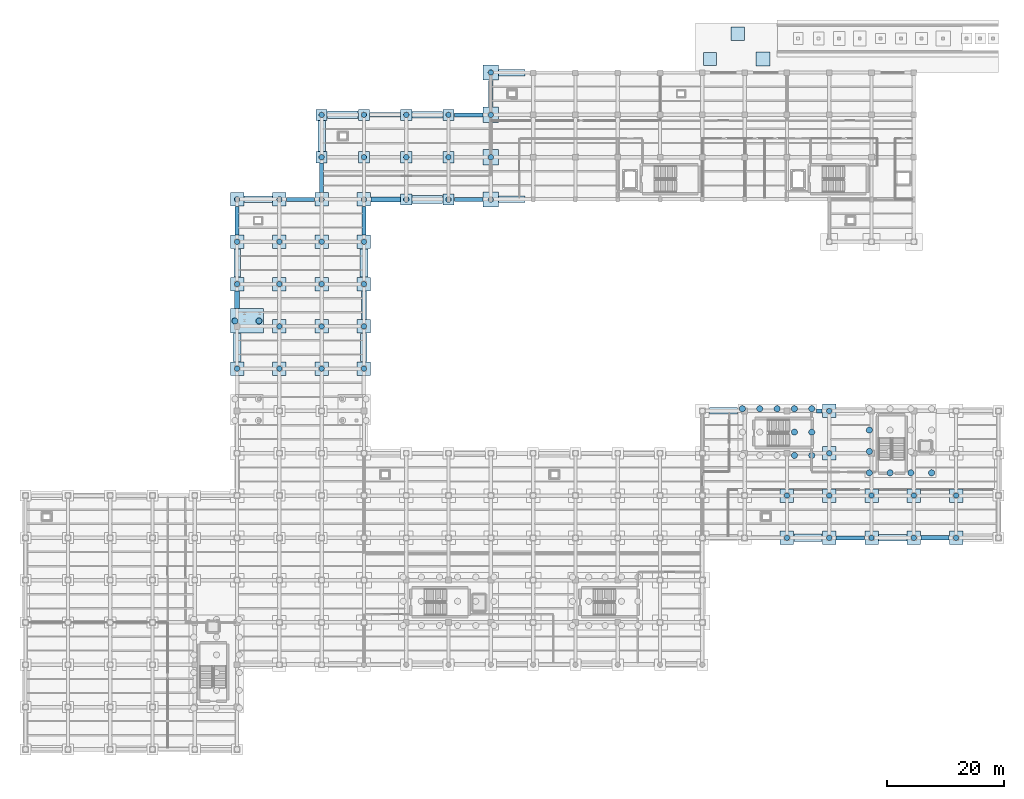
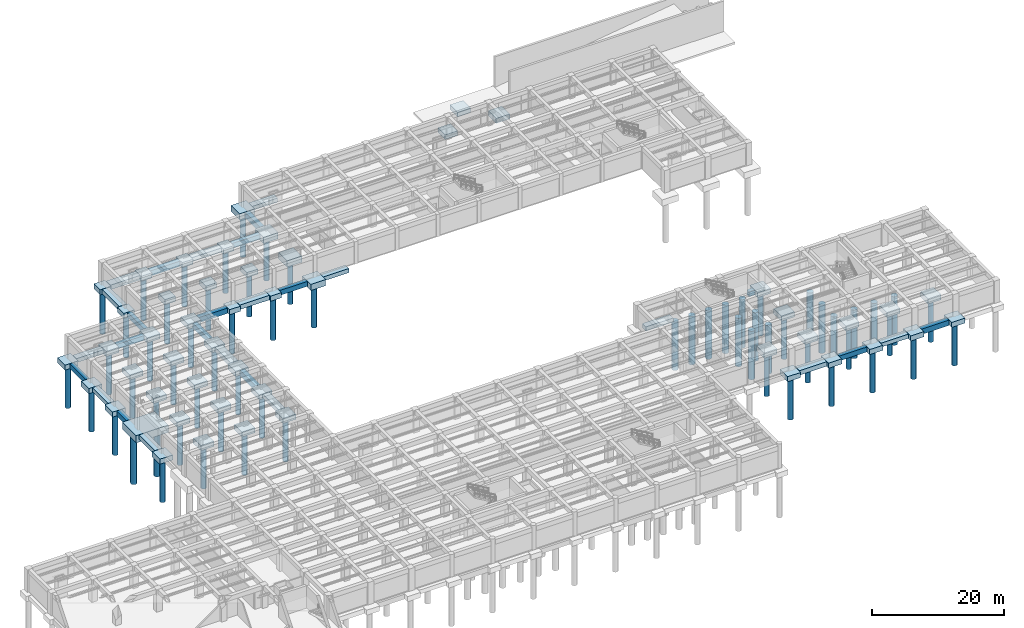
# One storey, part 3 of 34: 77 footings, 62 piles.
"""IFC4 building model written with IfcOpenShell, lengths in metres."""

from ifc_helpers import new_model, si_unit, direction, frame, origin, origin_2d, place, context, subcontext, project, spatial, polyline, rectangle, circle, outline, extrude, material, material_profile, profile_set, type_object, element, save


model = new_model("IFC4")

# Units and contexts
model_context = context("Model", 3, precision=1e-05, world=origin(), true_north=direction((0.0, 1.0)))
body_context = subcontext(model_context, "Body", "Model", "MODEL_VIEW")
ifc_project = project(units=[si_unit("LENGTHUNIT", "METRE"), si_unit("AREAUNIT", "SQUARE_METRE"), si_unit("VOLUMEUNIT", "CUBIC_METRE"), si_unit("PLANEANGLEUNIT", "RADIAN"), si_unit("MASSUNIT", "GRAM", prefix="KILO")], contexts=[model_context])

# Site, building, storey
site_placement = place(None, origin())
site = spatial("IfcSite", under=ifc_project, at=site_placement, CompositionType="ELEMENT")
building_placement = place(site_placement, origin())
building = spatial("IfcBuilding", under=site, at=building_placement, Name="Solenvale Faculty of Natural Sciences", CompositionType="ELEMENT")
storey_placement = place(building_placement, frame((0.0, 0.0, -4.5)))
storey = spatial("IfcBuildingStorey", under=building, at=storey_placement, Name="B01", CompositionType="ELEMENT", Elevation=-4.5)

# Footings
ifc_material = material(Name="Concrete 40 MPa", Category="concrete")
footing_type_1 = type_object("IfcFootingType", Name="FT-CAP-1900x1900x950", PredefinedType="PILE_CAP", material=ifc_material)
for number, where, z_axis, x_axis, name in (
    (1, (64.800048828125, 93.60009765625, -1.2998046875), (0.0, 0.0, 1.0), (1.0, 0.0, 0.0), "B01 Pile Cap 148"),
    (2, (72.0, 93.60009765625, -1.2998046875), (0.0, 0.0, 1.0), (1.0, 0.0, 0.0), "B01 Pile Cap 149"),
    (3, (50.39990234375, 100.800048828125, -1.2998046875), (0.0, 0.0, 1.0), (1.0, 0.0, 0.0), "B01 Pile Cap 151"),
    (4, (57.60009765625, 100.800048828125, -1.2998046875), (0.0, 0.0, 1.0), (1.0, 0.0, 0.0), "B01 Pile Cap 152"),
    (5, (64.800048828125, 100.800048828125, -1.2998046875), (0.0, 0.0, 1.0), (1.0, 0.0, 0.0), "B01 Pile Cap 153"),
    (6, (72.0, 100.800048828125, -1.2998046875), (0.0, 0.0, 1.0), (1.0, 0.0, 0.0), "B01 Pile Cap 154"),
    (7, (50.39990234375, 108.0, -1.2998046875), (0.0, 0.0, 1.0), (1.0, 0.0, 0.0), "B01 Pile Cap 156"),
    (8, (57.60009765625, 108.0, -1.2998046875), (0.0, 0.0, 1.0), (1.0, 0.0, 0.0), "B01 Pile Cap 157"),
    (9, (64.800048828125, 108.0, -1.2998046875), (0.0, 0.0, 1.0), (1.0, 0.0, 0.0), "B01 Pile Cap 158"),
    (10, (72.0, 108.0, -1.2998046875), (0.0, 0.0, 1.0), (1.0, 0.0, 0.0), "B01 Pile Cap 159"),
):
    element("IfcFooting", number, at=place(storey_placement, frame(where, z_axis=z_axis, x_axis=x_axis)), inside=storey, type_object=footing_type_1, Name=name, PredefinedType="PILE_CAP", context=body_context, shape_type="SweptSolid", body=[
        extrude(rectangle(XDim=1.89990234375, YDim=1.89990234375, at=origin_2d()), origin(), (0.0, 0.0, 1.0), 0.949951171875),
    ])
footing_type_2 = type_object("IfcFootingType", Name="FT-CAP-2300x2300x950", PredefinedType="PILE_CAP", material=ifc_material)
for number, where, z_axis, x_axis, name in (
    (11, (129.60009765625, 36.0, -1.2998046875), (0.0, 0.0, 1.0), (1.0, 0.0, 0.0), "B01 Pile Cap 62"),
    (12, (136.800048828125, 36.0, -1.2998046875), (0.0, 0.0, 1.0), (1.0, 0.0, 0.0), "B01 Pile Cap 63"),
    (13, (144.0, 36.0, -1.2998046875), (0.0, 0.0, 1.0), (1.0, 0.0, 0.0), "B01 Pile Cap 64"),
    (14, (151.199951171875, 36.0, -1.2998046875), (0.0, 0.0, 1.0), (1.0, 0.0, 0.0), "B01 Pile Cap 65"),
    (15, (158.39990234375, 36.0, -1.2998046875), (0.0, 0.0, 1.0), (1.0, 0.0, 0.0), "B01 Pile Cap 66"),
    (16, (129.60009765625, 43.199951171875, -1.2998046875), (0.0, 0.0, 1.0), (1.0, 0.0, 0.0), "B01 Pile Cap 86"),
    (17, (136.800048828125, 43.199951171875, -1.2998046875), (0.0, 0.0, 1.0), (1.0, 0.0, 0.0), "B01 Pile Cap 87"),
    (18, (144.0, 43.199951171875, -1.2998046875), (0.0, 0.0, 1.0), (1.0, 0.0, 0.0), "B01 Pile Cap 88"),
    (19, (151.199951171875, 43.199951171875, -1.2998046875), (0.0, 0.0, 1.0), (1.0, 0.0, 0.0), "B01 Pile Cap 89"),
    (20, (158.39990234375, 43.199951171875, -1.2998046875), (0.0, 0.0, 1.0), (1.0, 0.0, 0.0), "B01 Pile Cap 90"),
    (21, (136.800048828125, 50.39990234375, -1.2998046875), (0.0, 0.0, 1.0), (1.0, 0.0, 0.0), "B01 Pile Cap 104"),
    (22, (136.800048828125, 57.60009765625, -1.2998046875), (0.0, 0.0, 1.0), (1.0, 0.0, 0.0), "B01 Pile Cap 119"),
    (23, (36.0, 64.800048828125, -1.2998046875), (0.0, 0.0, 1.0), (1.0, 0.0, 0.0), "B01 Pile Cap 124"),
    (24, (43.199951171875, 64.800048828125, -1.2998046875), (0.0, 0.0, 1.0), (1.0, 0.0, 0.0), "B01 Pile Cap 125"),
    (25, (50.39990234375, 64.800048828125, -1.2998046875), (0.0, 0.0, 1.0), (1.0, 0.0, 0.0), "B01 Pile Cap 126"),
    (26, (57.60009765625, 64.800048828125, -1.2998046875), (0.0, 0.0, 1.0), (1.0, 0.0, 0.0), "B01 Pile Cap 127"),
    (27, (43.199951171875, 72.0, -1.2998046875), (0.0, 0.0, 1.0), (1.0, 0.0, 0.0), "B01 Pile Cap 129"),
    (28, (50.39990234375, 72.0, -1.2998046875), (0.0, 0.0, 1.0), (1.0, 0.0, 0.0), "B01 Pile Cap 130"),
    (29, (57.60009765625, 72.0, -1.2998046875), (0.0, 0.0, 1.0), (1.0, 0.0, 0.0), "B01 Pile Cap 131"),
    (30, (36.0, 79.199951171875, -1.2998046875), (0.0, 0.0, 1.0), (1.0, 0.0, 0.0), "B01 Pile Cap 132"),
    (31, (43.199951171875, 79.199951171875, -1.2998046875), (0.0, 0.0, 1.0), (1.0, 0.0, 0.0), "B01 Pile Cap 133"),
    (32, (50.39990234375, 79.199951171875, -1.2998046875), (0.0, 0.0, 1.0), (1.0, 0.0, 0.0), "B01 Pile Cap 134"),
    (33, (57.60009765625, 79.199951171875, -1.2998046875), (0.0, 0.0, 1.0), (1.0, 0.0, 0.0), "B01 Pile Cap 135"),
    (34, (36.0, 86.39990234375, -1.2998046875), (0.0, 0.0, 1.0), (1.0, 0.0, 0.0), "B01 Pile Cap 139"),
    (35, (43.199951171875, 86.39990234375, -1.2998046875), (0.0, 0.0, 1.0), (1.0, 0.0, 0.0), "B01 Pile Cap 140"),
    (36, (50.39990234375, 86.39990234375, -1.2998046875), (0.0, 0.0, 1.0), (1.0, 0.0, 0.0), "B01 Pile Cap 141"),
    (37, (57.60009765625, 86.39990234375, -1.2998046875), (0.0, 0.0, 1.0), (1.0, 0.0, 0.0), "B01 Pile Cap 142"),
    (38, (36.0, 93.60009765625, -1.2998046875), (0.0, 0.0, 1.0), (1.0, 0.0, 0.0), "B01 Pile Cap 144"),
    (39, (43.199951171875, 93.60009765625, -1.2998046875), (0.0, 0.0, 1.0), (1.0, 0.0, 0.0), "B01 Pile Cap 145"),
    (40, (50.39990234375, 93.60009765625, -1.2998046875), (0.0, 0.0, 1.0), (1.0, 0.0, 0.0), "B01 Pile Cap 146"),
    (41, (57.60009765625, 93.60009765625, -1.2998046875), (0.0, 0.0, 1.0), (1.0, 0.0, 0.0), "B01 Pile Cap 147"),
):
    element("IfcFooting", number, at=place(storey_placement, frame(where, z_axis=z_axis, x_axis=x_axis)), inside=storey, type_object=footing_type_2, Name=name, PredefinedType="PILE_CAP", context=body_context, shape_type="SweptSolid", body=[
        extrude(rectangle(XDim=2.300048828125, YDim=2.300048828125, at=origin_2d()), origin(), (0.0, 0.0, 1.0), 0.949951171875),
    ])
footing_type_3 = type_object("IfcFootingType", Name="FT-CAP-2600x2600x1150", PredefinedType="PILE_CAP", material=ifc_material)
for number, where, z_axis, x_axis, name in (
    (42, (79.199951171875, 93.60009765625, -1.5), (0.0, 0.0, 1.0), (1.0, 0.0, 0.0), "B01 Pile Cap 143"),
    (43, (79.199951171875, 100.800048828125, -1.5), (0.0, 0.0, 1.0), (1.0, 0.0, 0.0), "B01 Pile Cap 150"),
    (44, (79.199951171875, 108.0, -1.5), (0.0, 0.0, 1.0), (1.0, 0.0, 0.0), "B01 Pile Cap 155"),
    (45, (79.199951171875, 115.199951171875, -1.5), (0.0, 0.0, 1.0), (1.0, 0.0, 0.0), "B01 Pile Cap 160"),
):
    element("IfcFooting", number, at=place(storey_placement, frame(where, z_axis=z_axis, x_axis=x_axis)), inside=storey, type_object=footing_type_3, Name=name, PredefinedType="PILE_CAP", context=body_context, shape_type="SweptSolid", body=[
        extrude(rectangle(XDim=2.60009765625, YDim=2.60009765625, at=origin_2d()), origin(), (0.0, 0.0, 1.0), 1.14990234375),
    ])
footing_type_4 = type_object("IfcFootingType", Name="FT-CAP-5650x4150x1350", PredefinedType="PILE_CAP", material=ifc_material)
footing_1_placement = place(storey_placement, frame((37.675048828125, 72.925048828125, -1.699951171875), z_axis=(0.0, 0.0, 1.0), x_axis=(1.0, 0.0, 0.0)))
element("IfcFooting", 46, at=footing_1_placement, inside=storey, type_object=footing_type_4, Name="B01 Pile Cap 128", PredefinedType="PILE_CAP", context=body_context, shape_type="SweptSolid", body=[
    extrude(rectangle(XDim=5.64990234375, YDim=4.14990234375, at=origin_2d()), origin(), (0.0, 0.0, 1.0), 1.35009765625),
])
footing_type_5 = type_object("IfcFootingType", Name="FT-GB-700x900", PredefinedType="FOOTING_BEAM", material=ifc_material)
footing_2_placement = place(storey_placement, frame((0.0, 0.0, -1.25)))
element("IfcFooting", 47, at=footing_2_placement, inside=storey, type_object=footing_type_5, Name="B01 Continuous Foundation Beam 2.7", PredefinedType="FOOTING_BEAM", context=body_context, shape_type="SweptSolid", body=[
    extrude(outline(polyline([(35.64990234375, 87.590087890625), (36.35009765625, 87.590087890625), (36.35009765625, 92.409912109375), (35.64990234375, 92.409912109375), (35.64990234375, 87.590087890625)])), origin(), (0.0, 0.0, 1.0), 0.89990234375),
])
footing_3_placement = place(storey_placement, frame((0.0, 0.0, -1.25)))
element("IfcFooting", 48, at=footing_3_placement, inside=storey, type_object=footing_type_5, Name="B01 Continuous Foundation Beam 3.2", PredefinedType="FOOTING_BEAM", context=body_context, shape_type="SweptSolid", body=[
    extrude(outline(polyline([(44.389892578125, 93.25), (49.2099609375, 93.25), (49.2099609375, 93.949951171875), (44.389892578125, 93.949951171875), (44.389892578125, 93.25)])), origin(), (0.0, 0.0, 1.0), 0.89990234375),
])
footing_4_placement = place(storey_placement, frame((0.0, 0.0, -1.25)))
element("IfcFooting", 49, at=footing_4_placement, inside=storey, type_object=footing_type_5, Name="B01 Continuous Foundation Beam 4.1", PredefinedType="FOOTING_BEAM", context=body_context, shape_type="SweptSolid", body=[
    extrude(outline(polyline([(50.050048828125, 94.7900390625), (50.75, 94.7900390625), (50.75, 99.81005859375), (50.050048828125, 99.81005859375), (50.050048828125, 94.7900390625)])), origin(), (0.0, 0.0, 1.0), 0.89990234375),
])
footing_5_placement = place(storey_placement, frame((0.0, 0.0, -1.25)))
element("IfcFooting", 50, at=footing_5_placement, inside=storey, type_object=footing_type_5, Name="B01 Continuous Foundation Beam 5.4", PredefinedType="FOOTING_BEAM", context=body_context, shape_type="SweptSolid", body=[
    extrude(outline(polyline([(72.989990234375, 107.64990234375), (77.860107421875, 107.64990234375), (77.860107421875, 108.35009765625), (72.989990234375, 108.35009765625), (72.989990234375, 107.64990234375)])), origin(), (0.0, 0.0, 1.0), 0.89990234375),
])
footing_6_placement = place(storey_placement, frame((0.0, 0.0, -1.25)))
element("IfcFooting", 51, at=footing_6_placement, inside=storey, type_object=footing_type_5, Name="B01 Continuous Foundation Beam 11.2", PredefinedType="FOOTING_BEAM", context=body_context, shape_type="SweptSolid", body=[
    extrude(outline(polyline([(72.989990234375, 93.25), (77.860107421875, 93.25), (77.860107421875, 93.949951171875), (72.989990234375, 93.949951171875), (72.989990234375, 93.25)])), origin(), (0.0, 0.0, 1.0), 0.89990234375),
])
footing_7_placement = place(storey_placement, frame((0.0, 0.0, -1.25)))
element("IfcFooting", 52, at=footing_7_placement, inside=storey, type_object=footing_type_5, Name="B01 Continuous Foundation Beam 12.1", PredefinedType="FOOTING_BEAM", context=body_context, shape_type="SweptSolid", body=[
    extrude(outline(polyline([(57.25, 87.590087890625), (57.949951171875, 87.590087890625), (57.949951171875, 92.409912109375), (57.25, 92.409912109375), (57.25, 87.590087890625)])), origin(), (0.0, 0.0, 1.0), 0.89990234375),
])
footing_8_placement = place(storey_placement, frame((0.0, 0.0, -1.25)))
element("IfcFooting", 53, at=footing_8_placement, inside=storey, type_object=footing_type_5, Name="B01 Continuous Foundation Beam 15.2", PredefinedType="FOOTING_BEAM", context=body_context, shape_type="SweptSolid", body=[
    extrude(outline(polyline([(134.639892578125, 57.25), (135.610107421875, 57.25), (135.610107421875, 57.949951171875), (134.639892578125, 57.949951171875), (134.639892578125, 57.25)])), origin(), (0.0, 0.0, 1.0), 0.89990234375),
])
footing_9_placement = place(storey_placement, frame((0.0, 0.0, -1.25)))
element("IfcFooting", 54, at=footing_9_placement, inside=storey, type_object=footing_type_5, Name="B01 Continuous Foundation Beam 17.4", PredefinedType="FOOTING_BEAM", context=body_context, shape_type="SweptSolid", body=[
    extrude(outline(polyline([(137.989990234375, 35.64990234375), (142.81005859375, 35.64990234375), (142.81005859375, 36.35009765625), (137.989990234375, 36.35009765625), (137.989990234375, 35.64990234375)])), origin(), (0.0, 0.0, 1.0), 0.89990234375),
])
footing_type_6 = type_object("IfcFootingType", Name="FT-GB-800x1000", PredefinedType="FOOTING_BEAM", material=ifc_material)
footing_10_placement = place(storey_placement, frame((0.0, 0.0, -1.35009765625)))
element("IfcFooting", 55, at=footing_10_placement, inside=storey, type_object=footing_type_6, Name="B01 Continuous Foundation Beam 2.5", PredefinedType="FOOTING_BEAM", context=body_context, shape_type="SweptSolid", body=[
    extrude(outline(polyline([(35.60009765625, 75.0400390625), (36.39990234375, 75.0400390625), (36.39990234375, 78.010009765625), (35.60009765625, 78.010009765625), (35.60009765625, 75.0400390625)])), origin(), (0.0, 0.0, 1.0), 1.0),
])
footing_11_placement = place(storey_placement, frame((0.0, 0.0, -1.35009765625)))
element("IfcFooting", 56, at=footing_11_placement, inside=storey, type_object=footing_type_6, Name="B01 Continuous Foundation Beam 5.2", PredefinedType="FOOTING_BEAM", context=body_context, shape_type="SweptSolid", body=[
    extrude(outline(polyline([(58.590087890625, 107.60009765625), (63.81005859375, 107.60009765625), (63.81005859375, 108.39990234375), (58.590087890625, 108.39990234375), (58.590087890625, 107.60009765625)])), origin(), (0.0, 0.0, 1.0), 1.0),
])
footing_12_placement = place(storey_placement, frame((0.0, 0.0, -1.35009765625)))
element("IfcFooting", 57, at=footing_12_placement, inside=storey, type_object=footing_type_6, Name="B01 Continuous Foundation Beam 6.1", PredefinedType="FOOTING_BEAM", context=body_context, shape_type="SweptSolid", body=[
    extrude(outline(polyline([(78.800048828125, 109.340087890625), (79.60009765625, 109.340087890625), (79.60009765625, 113.860107421875), (78.800048828125, 113.860107421875), (78.800048828125, 109.340087890625)])), origin(), (0.0, 0.0, 1.0), 1.0),
])
footing_13_placement = place(storey_placement, frame((0.0, 0.0, -1.35009765625)))
element("IfcFooting", 58, at=footing_13_placement, inside=storey, type_object=footing_type_6, Name="B01 Continuous Foundation Beam 11.4", PredefinedType="FOOTING_BEAM", context=body_context, shape_type="SweptSolid", body=[
    extrude(outline(polyline([(58.7900390625, 93.199951171875), (63.81005859375, 93.199951171875), (63.81005859375, 94.0), (58.7900390625, 94.0), (58.7900390625, 93.199951171875)])), origin(), (0.0, 0.0, 1.0), 1.0),
])
footing_14_placement = place(storey_placement, frame((0.0, 0.0, -1.35009765625)))
element("IfcFooting", 59, at=footing_14_placement, inside=storey, type_object=footing_type_6, Name="B01 Continuous Foundation Beam 12.3", PredefinedType="FOOTING_BEAM", context=body_context, shape_type="SweptSolid", body=[
    extrude(outline(polyline([(57.199951171875, 73.18994140625), (58.0, 73.18994140625), (58.0, 78.010009765625), (57.199951171875, 78.010009765625), (57.199951171875, 73.18994140625)])), origin(), (0.0, 0.0, 1.0), 1.0),
])
footing_15_placement = place(storey_placement, frame((0.0, 0.0, -1.35009765625)))
element("IfcFooting", 60, at=footing_15_placement, inside=storey, type_object=footing_type_6, Name="B01 Continuous Foundation Beam 17.2", PredefinedType="FOOTING_BEAM", context=body_context, shape_type="SweptSolid", body=[
    extrude(outline(polyline([(152.389892578125, 35.60009765625), (157.2099609375, 35.60009765625), (157.2099609375, 36.39990234375), (152.389892578125, 36.39990234375), (152.389892578125, 35.60009765625)])), origin(), (0.0, 0.0, 1.0), 1.0),
])
footing_type_7 = type_object("IfcFootingType", Name="FT-PAD-2200x2200", PredefinedType="PAD_FOOTING", material=ifc_material)
footing_16_placement = place(storey_placement, frame((116.5, 117.5, -1.199951171875), z_axis=(0.0, 0.0, 1.0), x_axis=(1.0, 0.0, 0.0)))
element("IfcFooting", 61, at=footing_16_placement, inside=storey, type_object=footing_type_7, Name="B01 Loading Apron Footing 1", PredefinedType="PAD_FOOTING", context=body_context, shape_type="SweptSolid", body=[
    extrude(rectangle(XDim=2.199951171875, YDim=2.199951171875, at=origin_2d()), origin(), (0.0, 0.0, 1.0), 0.85009765625),
])
footing_type_8 = type_object("IfcFootingType", Name="FT-PAD-2300x2300", PredefinedType="PAD_FOOTING", material=ifc_material)
footing_17_placement = place(storey_placement, frame((121.199951171875, 121.800048828125, -1.199951171875), z_axis=(0.0, 0.0, 1.0), x_axis=(1.0, 0.0, 0.0)))
element("IfcFooting", 62, at=footing_17_placement, inside=storey, type_object=footing_type_8, Name="B01 Loading Apron Footing 2", PredefinedType="PAD_FOOTING", context=body_context, shape_type="SweptSolid", body=[
    extrude(rectangle(XDim=2.300048828125, YDim=2.300048828125, at=origin_2d()), origin(), (0.0, 0.0, 1.0), 0.85009765625),
])
footing_type_9 = type_object("IfcFootingType", Name="FT-PAD-2400x2400", PredefinedType="PAD_FOOTING", material=ifc_material)
footing_18_placement = place(storey_placement, frame((125.5, 117.5, -1.25), z_axis=(0.0, 0.0, 1.0), x_axis=(1.0, 0.0, 0.0)))
element("IfcFooting", 63, at=footing_18_placement, inside=storey, type_object=footing_type_9, Name="B01 Loading Apron Footing 3", PredefinedType="PAD_FOOTING", context=body_context, shape_type="SweptSolid", body=[
    extrude(rectangle(XDim=2.39990234375, YDim=2.39990234375, at=origin_2d()), origin(), (0.0, 0.0, 1.0), 0.89990234375),
])
footing_type_10 = type_object("IfcFootingType", Name="FT-ST-1100x750", PredefinedType="STRIP_FOOTING", material=ifc_material)
footing_19_placement = place(storey_placement, frame((0.0, 0.0, -1.10009765625)))
element("IfcFooting", 64, at=footing_19_placement, inside=storey, type_object=footing_type_10, Name="B01 Continuous Foundation Beam 2.6", PredefinedType="STRIP_FOOTING", context=body_context, shape_type="SweptSolid", body=[
    extrude(outline(polyline([(35.449951171875, 80.389892578125), (36.550048828125, 80.389892578125), (36.550048828125, 85.2099609375), (35.449951171875, 85.2099609375), (35.449951171875, 80.389892578125)])), origin(), (0.0, 0.0, 1.0), 0.75),
])
footing_20_placement = place(storey_placement, frame((0.0, 0.0, -1.10009765625)))
element("IfcFooting", 65, at=footing_20_placement, inside=storey, type_object=footing_type_10, Name="B01 Continuous Foundation Beam 3.1", PredefinedType="STRIP_FOOTING", context=body_context, shape_type="SweptSolid", body=[
    extrude(outline(polyline([(37.18994140625, 93.050048828125), (42.010009765625, 93.050048828125), (42.010009765625, 94.14990234375), (37.18994140625, 94.14990234375), (37.18994140625, 93.050048828125)])), origin(), (0.0, 0.0, 1.0), 0.75),
])
footing_21_placement = place(storey_placement, frame((0.0, 0.0, -1.10009765625)))
element("IfcFooting", 66, at=footing_21_placement, inside=storey, type_object=footing_type_10, Name="B01 Continuous Foundation Beam 5.3", PredefinedType="STRIP_FOOTING", context=body_context, shape_type="SweptSolid", body=[
    extrude(outline(polyline([(65.7900390625, 107.449951171875), (71.010009765625, 107.449951171875), (71.010009765625, 108.550048828125), (65.7900390625, 108.550048828125), (65.7900390625, 107.449951171875)])), origin(), (0.0, 0.0, 1.0), 0.75),
])
footing_22_placement = place(storey_placement, frame((0.0, 0.0, -1.10009765625)))
element("IfcFooting", 67, at=footing_22_placement, inside=storey, type_object=footing_type_10, Name="B01 Continuous Foundation Beam 7.1", PredefinedType="STRIP_FOOTING", context=body_context, shape_type="SweptSolid", body=[
    extrude(outline(polyline([(80.5400390625, 114.64990234375), (85.0, 114.64990234375), (85.0, 115.75), (80.5400390625, 115.75), (80.5400390625, 114.64990234375)])), origin(), (0.0, 0.0, 1.0), 0.75),
])
footing_23_placement = place(storey_placement, frame((0.0, 0.0, -1.10009765625)))
element("IfcFooting", 68, at=footing_23_placement, inside=storey, type_object=footing_type_10, Name="B01 Continuous Foundation Beam 11.1", PredefinedType="STRIP_FOOTING", context=body_context, shape_type="SweptSolid", body=[
    extrude(outline(polyline([(80.5400390625, 93.050048828125), (85.0, 93.050048828125), (85.0, 94.14990234375), (80.5400390625, 94.14990234375), (80.5400390625, 93.050048828125)])), origin(), (0.0, 0.0, 1.0), 0.75),
])
footing_24_placement = place(storey_placement, frame((0.0, 0.0, -1.10009765625)))
element("IfcFooting", 69, at=footing_24_placement, inside=storey, type_object=footing_type_10, Name="B01 Continuous Foundation Beam 12.4", PredefinedType="STRIP_FOOTING", context=body_context, shape_type="SweptSolid", body=[
    extrude(outline(polyline([(57.050048828125, 65.989990234375), (58.14990234375, 65.989990234375), (58.14990234375, 70.81005859375), (57.050048828125, 70.81005859375), (57.050048828125, 65.989990234375)])), origin(), (0.0, 0.0, 1.0), 0.75),
])
footing_25_placement = place(storey_placement, frame((0.0, 0.0, -1.10009765625)))
element("IfcFooting", 70, at=footing_25_placement, inside=storey, type_object=footing_type_10, Name="B01 Continuous Foundation Beam 15.1", PredefinedType="STRIP_FOOTING", context=body_context, shape_type="SweptSolid", body=[
    extrude(outline(polyline([(116.389892578125, 57.050048828125), (121.2099609375, 57.050048828125), (121.2099609375, 58.14990234375), (116.389892578125, 58.14990234375), (116.389892578125, 57.050048828125)])), origin(), (0.0, 0.0, 1.0), 0.75),
])
footing_26_placement = place(storey_placement, frame((0.0, 0.0, -1.10009765625)))
element("IfcFooting", 71, at=footing_26_placement, inside=storey, type_object=footing_type_10, Name="B01 Continuous Foundation Beam 17.3", PredefinedType="STRIP_FOOTING", context=body_context, shape_type="SweptSolid", body=[
    extrude(outline(polyline([(145.18994140625, 35.449951171875), (150.010009765625, 35.449951171875), (150.010009765625, 36.550048828125), (145.18994140625, 36.550048828125), (145.18994140625, 35.449951171875)])), origin(), (0.0, 0.0, 1.0), 0.75),
])
footing_type_11 = type_object("IfcFootingType", Name="FT-ST-1300x850", PredefinedType="STRIP_FOOTING", material=ifc_material)
footing_27_placement = place(storey_placement, frame((0.0, 0.0, -1.199951171875)))
element("IfcFooting", 72, at=footing_27_placement, inside=storey, type_object=footing_type_11, Name="B01 Continuous Foundation Beam 2.4", PredefinedType="STRIP_FOOTING", context=body_context, shape_type="SweptSolid", body=[
    extrude(outline(polyline([(35.35009765625, 65.989990234375), (36.64990234375, 65.989990234375), (36.64990234375, 70.81005859375), (35.35009765625, 70.81005859375), (35.35009765625, 65.989990234375)])), origin(), (0.0, 0.0, 1.0), 0.849853515625),
])
footing_28_placement = place(storey_placement, frame((0.0, 0.0, -1.199951171875)))
element("IfcFooting", 73, at=footing_28_placement, inside=storey, type_object=footing_type_11, Name="B01 Continuous Foundation Beam 4.2", PredefinedType="STRIP_FOOTING", context=body_context, shape_type="SweptSolid", body=[
    extrude(outline(polyline([(49.75, 101.7900390625), (51.050048828125, 101.7900390625), (51.050048828125, 107.010009765625), (49.75, 107.010009765625), (49.75, 101.7900390625)])), origin(), (0.0, 0.0, 1.0), 0.849853515625),
])
footing_29_placement = place(storey_placement, frame((0.0, 0.0, -1.199951171875)))
element("IfcFooting", 74, at=footing_29_placement, inside=storey, type_object=footing_type_11, Name="B01 Continuous Foundation Beam 5.1", PredefinedType="STRIP_FOOTING", context=body_context, shape_type="SweptSolid", body=[
    extrude(outline(polyline([(51.389892578125, 107.35009765625), (56.610107421875, 107.35009765625), (56.610107421875, 108.64990234375), (51.389892578125, 108.64990234375), (51.389892578125, 107.35009765625)])), origin(), (0.0, 0.0, 1.0), 0.849853515625),
])
footing_30_placement = place(storey_placement, frame((0.0, 0.0, -1.199951171875)))
element("IfcFooting", 75, at=footing_30_placement, inside=storey, type_object=footing_type_11, Name="B01 Continuous Foundation Beam 11.3", PredefinedType="STRIP_FOOTING", context=body_context, shape_type="SweptSolid", body=[
    extrude(outline(polyline([(65.7900390625, 92.949951171875), (71.010009765625, 92.949951171875), (71.010009765625, 94.25), (65.7900390625, 94.25), (65.7900390625, 92.949951171875)])), origin(), (0.0, 0.0, 1.0), 0.849853515625),
])
footing_31_placement = place(storey_placement, frame((0.0, 0.0, -1.199951171875)))
element("IfcFooting", 76, at=footing_31_placement, inside=storey, type_object=footing_type_11, Name="B01 Continuous Foundation Beam 12.2", PredefinedType="STRIP_FOOTING", context=body_context, shape_type="SweptSolid", body=[
    extrude(outline(polyline([(56.949951171875, 80.389892578125), (58.25, 80.389892578125), (58.25, 85.2099609375), (56.949951171875, 85.2099609375), (56.949951171875, 80.389892578125)])), origin(), (0.0, 0.0, 1.0), 0.849853515625),
])
footing_32_placement = place(storey_placement, frame((0.0, 0.0, -1.199951171875)))
element("IfcFooting", 77, at=footing_32_placement, inside=storey, type_object=footing_type_11, Name="B01 Continuous Foundation Beam 17.5", PredefinedType="STRIP_FOOTING", context=body_context, shape_type="SweptSolid", body=[
    extrude(outline(polyline([(130.7900390625, 35.35009765625), (135.610107421875, 35.35009765625), (135.610107421875, 36.64990234375), (130.7900390625, 36.64990234375), (130.7900390625, 35.35009765625)])), origin(), (0.0, 0.0, 1.0), 0.849853515625),
])

# Piles
ifc_material_profile_1 = material_profile(ifc_material, circle(Radius=0.52490234375, at=origin_2d()), Name="PILE-D1050")
ifc_profile_set_1 = profile_set([ifc_material_profile_1], Name="Concrete 40 MPa")
pile_type_1 = type_object("IfcPileType", Name="PL-BOR-1050", PredefinedType="BORED", material=ifc_profile_set_1)
for number, where, z_axis, x_axis, name in (
    (78, (143.625, 47.074951171875, -1.60009765625), (0.0, 0.0, -1.0), (1.0, 0.0, 0.0), "B01 Bored Pile 229"),
    (79, (143.625, 50.7080078125, -1.60009765625), (0.0, 0.0, -1.0), (1.0, 0.0, 0.0), "B01 Bored Pile 230"),
    (80, (143.625, 54.342041015625, -1.60009765625), (0.0, 0.0, -1.0), (1.0, 0.0, 0.0), "B01 Bored Pile 231"),
    (81, (147.157958984375, 47.074951171875, -1.60009765625), (0.0, 0.0, -1.0), (1.0, 0.0, 0.0), "B01 Bored Pile 233"),
    (82, (150.69189453125, 47.074951171875, -1.60009765625), (0.0, 0.0, -1.0), (1.0, 0.0, 0.0), "B01 Bored Pile 237"),
    (83, (154.22509765625, 47.074951171875, -1.60009765625), (0.0, 0.0, -1.0), (1.0, 0.0, 0.0), "B01 Bored Pile 241"),
    (84, (122.02490234375, 57.97509765625, -1.60009765625), (0.0, 0.0, -1.0), (1.0, 0.0, 0.0), "B01 Bored Pile 250"),
    (85, (124.97509765625, 57.97509765625, -1.60009765625), (0.0, 0.0, -1.0), (1.0, 0.0, 0.0), "B01 Bored Pile 253"),
    (86, (127.925048828125, 57.97509765625, -1.60009765625), (0.0, 0.0, -1.0), (1.0, 0.0, 0.0), "B01 Bored Pile 256"),
    (87, (130.875, 50.02490234375, -1.60009765625), (0.0, 0.0, -1.0), (1.0, 0.0, 0.0), "B01 Bored Pile 257"),
    (88, (130.875, 54.0, -1.60009765625), (0.0, 0.0, -1.0), (1.0, 0.0, 0.0), "B01 Bored Pile 258"),
    (89, (130.875, 57.97509765625, -1.60009765625), (0.0, 0.0, -1.0), (1.0, 0.0, 0.0), "B01 Bored Pile 259"),
    (90, (133.824951171875, 50.02490234375, -1.60009765625), (0.0, 0.0, -1.0), (1.0, 0.0, 0.0), "B01 Bored Pile 260"),
    (91, (133.824951171875, 54.0, -1.60009765625), (0.0, 0.0, -1.0), (1.0, 0.0, 0.0), "B01 Bored Pile 261"),
    (92, (133.824951171875, 57.97509765625, -1.60009765625), (0.0, 0.0, -1.0), (1.0, 0.0, 0.0), "B01 Bored Pile 262"),
    (93, (35.625, 72.925048828125, -1.60009765625), (0.0, 0.0, -1.0), (1.0, 0.0, 0.0), "B01 Bored Pile 293"),
    (94, (39.72509765625, 72.925048828125, -1.60009765625), (0.0, 0.0, -1.0), (1.0, 0.0, 0.0), "B01 Bored Pile 294"),
):
    element("IfcPile", number, at=place(storey_placement, frame(where, z_axis=z_axis, x_axis=x_axis)), inside=storey, type_object=pile_type_1, Name=name, PredefinedType="BORED", context=body_context, shape_type="SweptSolid", body=[
        extrude(circle(Radius=0.52490234375, at=origin_2d()), origin(), (0.0, 0.0, 1.0), 9.0),
    ])
ifc_material_profile_2 = material_profile(ifc_material, circle(Radius=0.449951171875, at=origin_2d()), Name="PILE-D900")
ifc_profile_set_2 = profile_set([ifc_material_profile_2], Name="Concrete 40 MPa")
pile_type_2 = type_object("IfcPileType", Name="PL-BOR-900", PredefinedType="BORED", material=ifc_profile_set_2)
for number, where, z_axis, x_axis, name in (
    (95, (129.60009765625, 36.0, -1.199951171875), (0.0, 0.0, -1.0), (1.0, 0.0, 0.0), "B01 Bored Pile 192"),
    (96, (136.800048828125, 36.0, -1.199951171875), (0.0, 0.0, -1.0), (1.0, 0.0, 0.0), "B01 Bored Pile 193"),
    (97, (144.0, 36.0, -1.199951171875), (0.0, 0.0, -1.0), (1.0, 0.0, 0.0), "B01 Bored Pile 194"),
    (98, (151.199951171875, 36.0, -1.199951171875), (0.0, 0.0, -1.0), (1.0, 0.0, 0.0), "B01 Bored Pile 195"),
    (99, (158.39990234375, 36.0, -1.199951171875), (0.0, 0.0, -1.0), (1.0, 0.0, 0.0), "B01 Bored Pile 196"),
    (100, (129.60009765625, 43.199951171875, -1.199951171875), (0.0, 0.0, -1.0), (1.0, 0.0, 0.0), "B01 Bored Pile 216"),
    (101, (136.800048828125, 43.199951171875, -1.199951171875), (0.0, 0.0, -1.0), (1.0, 0.0, 0.0), "B01 Bored Pile 217"),
    (102, (144.0, 43.199951171875, -1.199951171875), (0.0, 0.0, -1.0), (1.0, 0.0, 0.0), "B01 Bored Pile 218"),
    (103, (151.199951171875, 43.199951171875, -1.199951171875), (0.0, 0.0, -1.0), (1.0, 0.0, 0.0), "B01 Bored Pile 219"),
    (104, (158.39990234375, 43.199951171875, -1.199951171875), (0.0, 0.0, -1.0), (1.0, 0.0, 0.0), "B01 Bored Pile 220"),
    (105, (136.800048828125, 50.39990234375, -1.199951171875), (0.0, 0.0, -1.0), (1.0, 0.0, 0.0), "B01 Bored Pile 263"),
    (106, (136.800048828125, 57.60009765625, -1.199951171875), (0.0, 0.0, -1.0), (1.0, 0.0, 0.0), "B01 Bored Pile 284"),
    (107, (36.0, 64.800048828125, -1.199951171875), (0.0, 0.0, -1.0), (1.0, 0.0, 0.0), "B01 Bored Pile 289"),
    (108, (43.199951171875, 64.800048828125, -1.199951171875), (0.0, 0.0, -1.0), (1.0, 0.0, 0.0), "B01 Bored Pile 290"),
    (109, (50.39990234375, 64.800048828125, -1.199951171875), (0.0, 0.0, -1.0), (1.0, 0.0, 0.0), "B01 Bored Pile 291"),
    (110, (57.60009765625, 64.800048828125, -1.199951171875), (0.0, 0.0, -1.0), (1.0, 0.0, 0.0), "B01 Bored Pile 292"),
    (111, (43.199951171875, 72.0, -1.199951171875), (0.0, 0.0, -1.0), (1.0, 0.0, 0.0), "B01 Bored Pile 295"),
    (112, (50.39990234375, 72.0, -1.199951171875), (0.0, 0.0, -1.0), (1.0, 0.0, 0.0), "B01 Bored Pile 296"),
    (113, (57.60009765625, 72.0, -1.199951171875), (0.0, 0.0, -1.0), (1.0, 0.0, 0.0), "B01 Bored Pile 297"),
    (114, (36.0, 79.199951171875, -1.199951171875), (0.0, 0.0, -1.0), (1.0, 0.0, 0.0), "B01 Bored Pile 298"),
    (115, (43.199951171875, 79.199951171875, -1.199951171875), (0.0, 0.0, -1.0), (1.0, 0.0, 0.0), "B01 Bored Pile 299"),
    (116, (50.39990234375, 79.199951171875, -1.199951171875), (0.0, 0.0, -1.0), (1.0, 0.0, 0.0), "B01 Bored Pile 300"),
    (117, (57.60009765625, 79.199951171875, -1.199951171875), (0.0, 0.0, -1.0), (1.0, 0.0, 0.0), "B01 Bored Pile 301"),
    (118, (36.0, 86.39990234375, -1.199951171875), (0.0, 0.0, -1.0), (1.0, 0.0, 0.0), "B01 Bored Pile 305"),
    (119, (43.199951171875, 86.39990234375, -1.199951171875), (0.0, 0.0, -1.0), (1.0, 0.0, 0.0), "B01 Bored Pile 306"),
    (120, (50.39990234375, 86.39990234375, -1.199951171875), (0.0, 0.0, -1.0), (1.0, 0.0, 0.0), "B01 Bored Pile 307"),
    (121, (57.60009765625, 86.39990234375, -1.199951171875), (0.0, 0.0, -1.0), (1.0, 0.0, 0.0), "B01 Bored Pile 308"),
    (122, (79.199951171875, 93.60009765625, -1.39990234375), (0.0, 0.0, -1.0), (1.0, 0.0, 0.0), "B01 Bored Pile 309"),
    (123, (36.0, 93.60009765625, -1.199951171875), (0.0, 0.0, -1.0), (1.0, 0.0, 0.0), "B01 Bored Pile 310"),
    (124, (43.199951171875, 93.60009765625, -1.199951171875), (0.0, 0.0, -1.0), (1.0, 0.0, 0.0), "B01 Bored Pile 311"),
    (125, (50.39990234375, 93.60009765625, -1.199951171875), (0.0, 0.0, -1.0), (1.0, 0.0, 0.0), "B01 Bored Pile 312"),
    (126, (57.60009765625, 93.60009765625, -1.199951171875), (0.0, 0.0, -1.0), (1.0, 0.0, 0.0), "B01 Bored Pile 313"),
    (127, (64.800048828125, 93.60009765625, -1.199951171875), (0.0, 0.0, -1.0), (1.0, 0.0, 0.0), "B01 Bored Pile 314"),
    (128, (72.0, 93.60009765625, -1.199951171875), (0.0, 0.0, -1.0), (1.0, 0.0, 0.0), "B01 Bored Pile 315"),
    (129, (79.199951171875, 100.800048828125, -1.39990234375), (0.0, 0.0, -1.0), (1.0, 0.0, 0.0), "B01 Bored Pile 316"),
    (130, (50.39990234375, 100.800048828125, -1.199951171875), (0.0, 0.0, -1.0), (1.0, 0.0, 0.0), "B01 Bored Pile 317"),
    (131, (57.60009765625, 100.800048828125, -1.199951171875), (0.0, 0.0, -1.0), (1.0, 0.0, 0.0), "B01 Bored Pile 318"),
    (132, (64.800048828125, 100.800048828125, -1.199951171875), (0.0, 0.0, -1.0), (1.0, 0.0, 0.0), "B01 Bored Pile 319"),
    (133, (72.0, 100.800048828125, -1.199951171875), (0.0, 0.0, -1.0), (1.0, 0.0, 0.0), "B01 Bored Pile 320"),
    (134, (79.199951171875, 108.0, -1.39990234375), (0.0, 0.0, -1.0), (1.0, 0.0, 0.0), "B01 Bored Pile 321"),
    (135, (50.39990234375, 108.0, -1.199951171875), (0.0, 0.0, -1.0), (1.0, 0.0, 0.0), "B01 Bored Pile 322"),
    (136, (57.60009765625, 108.0, -1.199951171875), (0.0, 0.0, -1.0), (1.0, 0.0, 0.0), "B01 Bored Pile 323"),
    (137, (64.800048828125, 108.0, -1.199951171875), (0.0, 0.0, -1.0), (1.0, 0.0, 0.0), "B01 Bored Pile 324"),
    (138, (72.0, 108.0, -1.199951171875), (0.0, 0.0, -1.0), (1.0, 0.0, 0.0), "B01 Bored Pile 325"),
    (139, (79.199951171875, 115.199951171875, -1.39990234375), (0.0, 0.0, -1.0), (1.0, 0.0, 0.0), "B01 Bored Pile 326"),
):
    element("IfcPile", number, at=place(storey_placement, frame(where, z_axis=z_axis, x_axis=x_axis)), inside=storey, type_object=pile_type_2, Name=name, PredefinedType="BORED", context=body_context, shape_type="SweptSolid", body=[
        extrude(circle(Radius=0.449951171875, at=origin_2d()), origin(), (0.0, 0.0, 1.0), 8.0),
    ])

save(model, "model.ifc")
